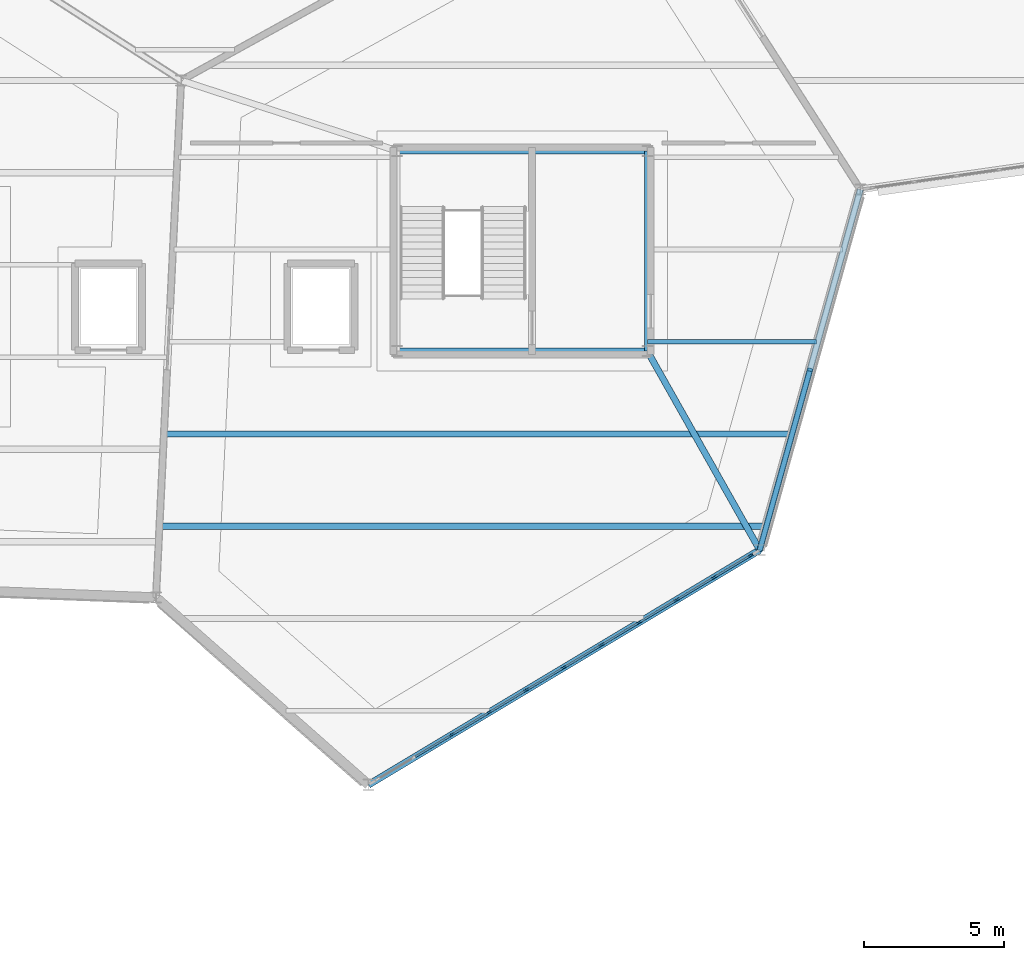
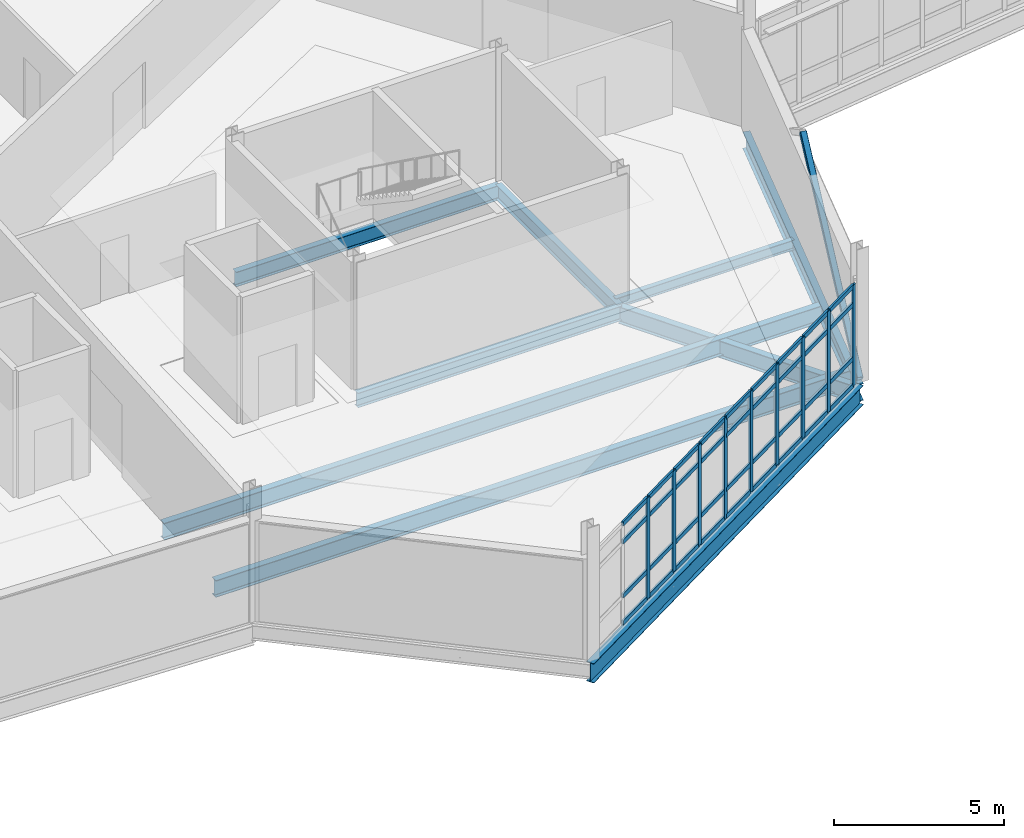
# One storey, part 75 of 134: 46 members, 9 beams, 1 element without a shape of its own.
"""IFC4 building model written with IfcOpenShell, lengths in metres."""

from ifc_helpers import new_model, si_unit, direction, frame, origin, origin_2d, place, context, subcontext, project, spatial, rectangle, hollow_rectangle, i_section, extrude, material, material_profile, profile_set, type_object, element, aggregate, save


model = new_model("IFC4")

# Units and contexts
model_context = context("Model", 3, precision=1e-05, world=origin(), true_north=direction((0.0, 1.0)))
body_context = subcontext(model_context, "Body", "Model", "MODEL_VIEW")
ifc_project = project(units=[si_unit("LENGTHUNIT", "METRE"), si_unit("AREAUNIT", "SQUARE_METRE"), si_unit("VOLUMEUNIT", "CUBIC_METRE"), si_unit("PLANEANGLEUNIT", "RADIAN"), si_unit("MASSUNIT", "GRAM", prefix="KILO")], contexts=[model_context])

# Site, building, storey
site_placement = place(None, origin())
site = spatial("IfcSite", under=ifc_project, at=site_placement, CompositionType="ELEMENT")
building_placement = place(site_placement, origin())
building = spatial("IfcBuilding", under=site, at=building_placement, Name="Tameran Prism Museum", CompositionType="ELEMENT")
storey_placement = place(building_placement, frame((0.0, 0.0, 5.39990234375)))
storey = spatial("IfcBuildingStorey", under=building, at=storey_placement, Name="L01", CompositionType="ELEMENT", Elevation=5.39990234375)

# Beams
ifc_material_1 = material(Name="Steel Grade 300PLUS (300 MPa)", Category="steel")
ifc_material_profile_1 = material_profile(ifc_material_1, i_section(OverallWidth=0.172119140625, OverallDepth=0.35888671875, WebThickness=0.008056640625, FlangeThickness=0.012939453125, FilletRadius=0.011474609375, at=origin_2d()))
ifc_profile_set_1 = profile_set([ifc_material_profile_1])
beam_type_1 = type_object("IfcBeamType", Name="BM-J360A", PredefinedType="JOIST", material=ifc_profile_set_1)
beam_1_placement = place(storey_placement, frame((135.47998046875, 79.75, -0.37939453125), z_axis=(1.0, 0.0, 0.0), x_axis=(0.0, 1.0, 0.0)))
element("IfcBeam", 1, at=beam_1_placement, inside=storey, type_object=beam_type_1, Name="Floor Beam BM-0513", PredefinedType="JOIST", context=body_context, shape_type="SweptSolid", body=[
    extrude(i_section(OverallWidth=0.172119140625, OverallDepth=0.35888671875, WebThickness=0.008056640625, FlangeThickness=0.012939453125, FilletRadius=0.011474609375, at=origin_2d()), origin(), (0.0, 0.0, 1.0), 6.05810546875),
])
ifc_material_2 = material(Name="Steel Grade 300PLUS (300 MPa)", Category="steel")
ifc_material_profile_2 = material_profile(ifc_material_2, i_section(OverallWidth=0.208984375, OverallDepth=0.528076171875, WebThickness=0.009521484375, FlangeThickness=0.01318359375, FilletRadius=0.013916015625, at=origin_2d()))
ifc_profile_set_2 = profile_set([ifc_material_profile_2])
beam_type_2 = type_object("IfcBeamType", Name="BM-SP530B", PredefinedType="SPANDREL", material=ifc_profile_set_2)
beam_2_placement = place(storey_placement, frame((126.52001953125, 79.419921875, -0.50390625), z_axis=(1.0, 0.0, 0.0), x_axis=(0.0, 1.0, 0.0)))
element("IfcBeam", 2, at=beam_2_placement, inside=storey, type_object=beam_type_2, Name="Core Ring Beam CTB-0442", PredefinedType="SPANDREL", context=body_context, shape_type="SweptSolid", body=[
    extrude(i_section(OverallWidth=0.208984375, OverallDepth=0.528076171875, WebThickness=0.009521484375, FlangeThickness=0.01318359375, FilletRadius=0.013916015625, at=origin_2d()), origin(), (0.0, 0.0, 1.0), 8.9599609375),
])
beam_3_placement = place(storey_placement, frame((135.47998046875, 79.419921875, -0.50390625), z_axis=(0.0, 1.0, 0.0), x_axis=(-1.0, 0.0, 0.0)))
element("IfcBeam", 3, at=beam_3_placement, inside=storey, type_object=beam_type_2, Name="Core Ring Beam CTB-0443", PredefinedType="SPANDREL", context=body_context, shape_type="SweptSolid", body=[
    extrude(i_section(OverallWidth=0.208984375, OverallDepth=0.528076171875, WebThickness=0.009521484375, FlangeThickness=0.01318359375, FilletRadius=0.013916015625, at=origin_2d()), origin(), (0.0, 0.0, 1.0), 7.16015625),
])
beam_4_placement = place(storey_placement, frame((135.47998046875, 86.580078125, -0.50390625), z_axis=(-1.0, 0.0, 0.0), x_axis=(0.0, -1.0, 0.0)))
element("IfcBeam", 4, at=beam_4_placement, inside=storey, type_object=beam_type_2, Name="Core Ring Beam CTB-0444", PredefinedType="SPANDREL", context=body_context, shape_type="SweptSolid", body=[
    extrude(i_section(OverallWidth=0.208984375, OverallDepth=0.528076171875, WebThickness=0.009521484375, FlangeThickness=0.01318359375, FilletRadius=0.013916015625, at=origin_2d()), origin(), (0.0, 0.0, 1.0), 8.9599609375),
])
ifc_material_3 = material(Name="Steel Grade 300PLUS (300 MPa)", Category="steel")
ifc_material_profile_3 = material_profile(ifc_material_3, i_section(OverallWidth=0.22802734375, OverallDepth=0.60205078125, WebThickness=0.010498046875, FlangeThickness=0.014892578125, FilletRadius=0.013916015625, at=origin_2d()))
ifc_profile_set_3 = profile_set([ifc_material_profile_3])
beam_type_3 = type_object("IfcBeamType", Name="BM-SP610", PredefinedType="SPANDREL", material=ifc_profile_set_3)
beam_5_placement = place(storey_placement, frame((139.5, 72.300048828125, -0.5009765625), z_axis=(0.268807620494, 0.96319388659, 0.0), x_axis=(-0.96319388659, 0.268807620494, 0.0)))
element("IfcBeam", 5, at=beam_5_placement, inside=storey, type_object=beam_type_3, Name="Perimeter Spandrel SP-0332", PredefinedType="SPANDREL", context=body_context, shape_type="SweptSolid", body=[
    extrude(i_section(OverallWidth=0.22802734375, OverallDepth=0.60205078125, WebThickness=0.010498046875, FlangeThickness=0.014892578125, FilletRadius=0.013916015625, at=origin_2d()), origin(), (0.0, 0.0, 1.0), 13.392822265625),
])
ifc_material_4 = material(Name="Steel Grade 350 (350 MPa)", Category="steel")
ifc_material_profile_4 = material_profile(ifc_material_4, i_section(OverallWidth=0.25, OverallDepth=0.699951171875, WebThickness=0.010009765625, FlangeThickness=0.02001953125, at=origin_2d()))
ifc_profile_set_4 = profile_set([ifc_material_profile_4])
beam_type_4 = type_object("IfcBeamType", Name="BM-SP700", PredefinedType="SPANDREL", material=ifc_profile_set_4)
beam_6_placement = place(storey_placement, frame((125.5, 63.89990234375, -0.5498046875), z_axis=(0.857488967429, 0.51450235251, 0.0), x_axis=(-0.51450235251, 0.857488967429, 0.0)))
element("IfcBeam", 6, at=beam_6_placement, inside=storey, type_object=beam_type_4, Name="Perimeter Spandrel SP-0331", PredefinedType="SPANDREL", context=body_context, shape_type="SweptSolid", body=[
    extrude(i_section(OverallWidth=0.25, OverallDepth=0.699951171875, WebThickness=0.010009765625, FlangeThickness=0.02001953125, at=origin_2d()), origin(), (0.0, 0.0, 1.0), 16.32666015625),
])
ifc_material_5 = material(Name="Steel Grade 300PLUS (300 MPa)", Category="steel")
ifc_material_profile_5 = material_profile(ifc_material_5, i_section(OverallWidth=0.22900390625, OverallDepth=0.612060546875, WebThickness=0.011962890625, FlangeThickness=0.01953125, FilletRadius=0.013916015625, at=origin_2d()))
ifc_profile_set_5 = profile_set([ifc_material_profile_5])
beam_type_5 = type_object("IfcBeamType", Name="BM-UB610A", PredefinedType="BEAM", material=ifc_profile_set_5)
beam_7_placement = place(storey_placement, frame((135.47998046875, 79.419921875, -0.559814453125), z_axis=(0.491662661717, -0.870785752682, 0.0), x_axis=(0.870785752682, 0.491662661717, 0.0)))
element("IfcBeam", 7, at=beam_7_placement, inside=storey, type_object=beam_type_5, Name="Frame Tie Girder FG-1388", PredefinedType="BEAM", context=body_context, shape_type="SweptSolid", body=[
    extrude(i_section(OverallWidth=0.22900390625, OverallDepth=0.612060546875, WebThickness=0.011962890625, FlangeThickness=0.01953125, FilletRadius=0.013916015625, at=origin_2d()), origin(), (0.0, 0.0, 1.0), 8.17626953125),
])
ifc_material_6 = material(Name="Steel Grade 300PLUS (300 MPa)", Category="steel")
ifc_material_profile_6 = material_profile(ifc_material_6, i_section(OverallWidth=0.22802734375, OverallDepth=0.60693359375, WebThickness=0.01123046875, FlangeThickness=0.017333984375, FilletRadius=0.013916015625, at=origin_2d()))
ifc_profile_set_6 = profile_set([ifc_material_profile_6])
beam_type_6 = type_object("IfcBeamType", Name="BM-UB610B", PredefinedType="BEAM", material=ifc_profile_set_6)
beam_8_placement = place(storey_placement, frame((118.06396484375, 73.14990234375, -0.50341796875), z_axis=(1.0, 0.0, 0.0), x_axis=(0.0, 1.0, 0.0)))
element("IfcBeam", 8, at=beam_8_placement, inside=storey, type_object=beam_type_6, Name="Floor Beam BM-0510", PredefinedType="BEAM", context=body_context, shape_type="SweptSolid", body=[
    extrude(i_section(OverallWidth=0.22802734375, OverallDepth=0.60693359375, WebThickness=0.01123046875, FlangeThickness=0.017333984375, FilletRadius=0.013916015625, at=origin_2d()), origin(), (0.0, 0.0, 1.0), 21.632080078125),
])
beam_9_placement = place(storey_placement, frame((118.22509765625, 76.449951171875, -0.50341796875), z_axis=(1.0, 0.0, 0.0), x_axis=(0.0, 1.0, 0.0)))
element("IfcBeam", 9, at=beam_9_placement, inside=storey, type_object=beam_type_6, Name="Floor Beam BM-0511", PredefinedType="BEAM", context=body_context, shape_type="SweptSolid", body=[
    extrude(i_section(OverallWidth=0.22802734375, OverallDepth=0.60693359375, WebThickness=0.01123046875, FlangeThickness=0.017333984375, FilletRadius=0.013916015625, at=origin_2d()), origin(), (0.0, 0.0, 1.0), 22.391845703125),
])

# Curtain wall, members
ifc_material_7 = material(Name="Anodised Aluminium 6063-T6 and Cyclone Solar Glass", Category="aluminium")
curtain_wall_type = type_object("IfcCurtainWallType", Name="CW-FAC-1563x362", PredefinedType="USERDEFINED", material=ifc_material_7)
curtain_wall_placement = place(storey_placement, origin())
curtain_wall = element("IfcCurtainWall", 10, at=curtain_wall_placement, inside=storey, type_object=curtain_wall_type, Name="Unitised Curtain Wall CW-056", ObjectType="UNITISED CURTAIN WALL", PredefinedType="USERDEFINED")
ifc_material_8 = material(Name="Anodised Aluminium Alloy 6063-T6", Category="aluminium")
ifc_material_profile_7 = material_profile(ifc_material_8, rectangle(XDim=0.070068359375, YDim=0.179931640625, at=origin_2d()))
ifc_profile_set_7 = profile_set([ifc_material_profile_7])
member_type_1 = type_object("IfcMemberType", Name="CW-MUL-B", PredefinedType="MULLION", material=ifc_profile_set_7)
member_1_placement = place(storey_placement, frame((139.169921875, 72.10205078125, 0.0), z_axis=(0.0, 0.0, 1.0), x_axis=(0.514495755426, -0.857492925713, 0.0)))
member_1 = element("IfcMember", 11, at=member_1_placement, type_object=member_type_1, Name="CW-056 mullion 1", PredefinedType="MULLION", context=body_context, shape_type="SweptSolid", body=[
    extrude(rectangle(XDim=0.070068359375, YDim=0.179931640625, at=origin_2d()), origin(), (0.0, 0.0, 1.0), 3.6201171875),
])
member_2_placement = place(storey_placement, frame((137.860107421875, 71.31591796875, 0.0), z_axis=(0.0, 0.0, 1.0), x_axis=(0.514495755426, -0.857492925713, 0.0)))
member_2 = element("IfcMember", 12, at=member_2_placement, type_object=member_type_1, Name="CW-056 mullion 2", PredefinedType="MULLION", context=body_context, shape_type="SweptSolid", body=[
    extrude(rectangle(XDim=0.070068359375, YDim=0.179931640625, at=origin_2d()), origin(), (0.0, 0.0, 1.0), 3.6201171875),
])
member_3_placement = place(storey_placement, frame((136.52001953125, 70.511962890625, 0.0), z_axis=(0.0, 0.0, 1.0), x_axis=(0.514495755426, -0.857492925713, 0.0)))
member_3 = element("IfcMember", 13, at=member_3_placement, type_object=member_type_1, Name="CW-056 mullion 3", PredefinedType="MULLION", context=body_context, shape_type="SweptSolid", body=[
    extrude(rectangle(XDim=0.070068359375, YDim=0.179931640625, at=origin_2d()), origin(), (0.0, 0.0, 1.0), 3.6201171875),
])
member_4_placement = place(storey_placement, frame((135.179931640625, 69.7080078125, 0.0), z_axis=(0.0, 0.0, 1.0), x_axis=(0.514495755426, -0.857492925713, 0.0)))
member_4 = element("IfcMember", 14, at=member_4_placement, type_object=member_type_1, Name="CW-056 mullion 4", PredefinedType="MULLION", context=body_context, shape_type="SweptSolid", body=[
    extrude(rectangle(XDim=0.070068359375, YDim=0.179931640625, at=origin_2d()), origin(), (0.0, 0.0, 1.0), 3.6201171875),
])
member_5_placement = place(storey_placement, frame((133.840087890625, 68.904052734375, 0.0), z_axis=(0.0, 0.0, 1.0), x_axis=(0.514495755426, -0.857492925713, 0.0)))
member_5 = element("IfcMember", 15, at=member_5_placement, type_object=member_type_1, Name="CW-056 mullion 5", PredefinedType="MULLION", context=body_context, shape_type="SweptSolid", body=[
    extrude(rectangle(XDim=0.070068359375, YDim=0.179931640625, at=origin_2d()), origin(), (0.0, 0.0, 1.0), 3.6201171875),
])
member_6_placement = place(storey_placement, frame((132.5, 68.10009765625, 0.0), z_axis=(0.0, 0.0, 1.0), x_axis=(0.514495755426, -0.857492925713, 0.0)))
member_6 = element("IfcMember", 16, at=member_6_placement, type_object=member_type_1, Name="CW-056 mullion 6", PredefinedType="MULLION", context=body_context, shape_type="SweptSolid", body=[
    extrude(rectangle(XDim=0.070068359375, YDim=0.179931640625, at=origin_2d()), origin(), (0.0, 0.0, 1.0), 3.6201171875),
])
member_7_placement = place(storey_placement, frame((131.159912109375, 67.2958984375, 0.0), z_axis=(0.0, 0.0, 1.0), x_axis=(0.514495755426, -0.857492925713, 0.0)))
member_7 = element("IfcMember", 17, at=member_7_placement, type_object=member_type_1, Name="CW-056 mullion 7", PredefinedType="MULLION", context=body_context, shape_type="SweptSolid", body=[
    extrude(rectangle(XDim=0.070068359375, YDim=0.179931640625, at=origin_2d()), origin(), (0.0, 0.0, 1.0), 3.6201171875),
])
member_8_placement = place(storey_placement, frame((129.820068359375, 66.491943359375, 0.0), z_axis=(0.0, 0.0, 1.0), x_axis=(0.514495755426, -0.857492925713, 0.0)))
member_8 = element("IfcMember", 18, at=member_8_placement, type_object=member_type_1, Name="CW-056 mullion 8", PredefinedType="MULLION", context=body_context, shape_type="SweptSolid", body=[
    extrude(rectangle(XDim=0.070068359375, YDim=0.179931640625, at=origin_2d()), origin(), (0.0, 0.0, 1.0), 3.6201171875),
])
member_9_placement = place(storey_placement, frame((128.47998046875, 65.68798828125, 0.0), z_axis=(0.0, 0.0, 1.0), x_axis=(0.514495755426, -0.857492925713, 0.0)))
member_9 = element("IfcMember", 19, at=member_9_placement, type_object=member_type_1, Name="CW-056 mullion 9", PredefinedType="MULLION", context=body_context, shape_type="SweptSolid", body=[
    extrude(rectangle(XDim=0.070068359375, YDim=0.179931640625, at=origin_2d()), origin(), (0.0, 0.0, 1.0), 3.6201171875),
])
ifc_material_9 = material(Name="Anodised Aluminium Alloy 6063-T6", Category="aluminium")
ifc_material_profile_8 = material_profile(ifc_material_9, rectangle(XDim=0.070068359375, YDim=0.155029296875, at=origin_2d()))
ifc_profile_set_8 = profile_set([ifc_material_profile_8])
member_type_2 = type_object("IfcMemberType", Name="CW-TRN-B", PredefinedType="USERDEFINED", material=ifc_profile_set_8)
member_10_placement = place(storey_placement, frame((139.139892578125, 72.083984375, 0.03515625), z_axis=(-0.857492925713, -0.514495755428, 0.0), x_axis=(0.514495755428, -0.857492925713, 0.0)))
member_10 = element("IfcMember", 20, at=member_10_placement, type_object=member_type_2, Name="CW-056 transom 1.1", ObjectType="TRANSOM", PredefinedType="USERDEFINED", context=body_context, shape_type="SweptSolid", body=[
    extrude(rectangle(XDim=0.070068359375, YDim=0.155029296875, at=origin_2d()), origin(), (0.0, 0.0, 1.0), 1.457763671875),
])
member_11_placement = place(storey_placement, frame((139.139892578125, 72.083984375, 1.0), z_axis=(-0.857492925713, -0.514495755428, 0.0), x_axis=(0.514495755428, -0.857492925713, 0.0)))
member_11 = element("IfcMember", 21, at=member_11_placement, type_object=member_type_2, Name="CW-056 transom 1.2", ObjectType="TRANSOM", PredefinedType="USERDEFINED", context=body_context, shape_type="SweptSolid", body=[
    extrude(rectangle(XDim=0.070068359375, YDim=0.155029296875, at=origin_2d()), origin(), (0.0, 0.0, 1.0), 1.457763671875),
])
member_12_placement = place(storey_placement, frame((139.139892578125, 72.083984375, 2.940185546875), z_axis=(-0.857492925713, -0.514495755428, 0.0), x_axis=(0.514495755428, -0.857492925713, 0.0)))
member_12 = element("IfcMember", 22, at=member_12_placement, type_object=member_type_2, Name="CW-056 transom 1.3", ObjectType="TRANSOM", PredefinedType="USERDEFINED", context=body_context, shape_type="SweptSolid", body=[
    extrude(rectangle(XDim=0.070068359375, YDim=0.155029296875, at=origin_2d()), origin(), (0.0, 0.0, 1.0), 1.457763671875),
])
member_13_placement = place(storey_placement, frame((139.139892578125, 72.083984375, 3.585205078125), z_axis=(-0.857492925713, -0.514495755428, 0.0), x_axis=(0.514495755428, -0.857492925713, 0.0)))
member_13 = element("IfcMember", 23, at=member_13_placement, type_object=member_type_2, Name="CW-056 transom 1.4", ObjectType="TRANSOM", PredefinedType="USERDEFINED", context=body_context, shape_type="SweptSolid", body=[
    extrude(rectangle(XDim=0.070068359375, YDim=0.155029296875, at=origin_2d()), origin(), (0.0, 0.0, 1.0), 1.457763671875),
])
member_14_placement = place(storey_placement, frame((137.830078125, 71.298095703125, 0.03515625), z_axis=(-0.857478494731, -0.514519806299, 0.0), x_axis=(0.514519806299, -0.857478494731, 0.0)))
member_14 = element("IfcMember", 24, at=member_14_placement, type_object=member_type_2, Name="CW-056 transom 2.1", ObjectType="TRANSOM", PredefinedType="USERDEFINED", context=body_context, shape_type="SweptSolid", body=[
    extrude(rectangle(XDim=0.070068359375, YDim=0.155029296875, at=origin_2d()), origin(), (0.0, 0.0, 1.0), 1.49267578125),
])
member_15_placement = place(storey_placement, frame((137.830078125, 71.298095703125, 1.0), z_axis=(-0.857478494731, -0.514519806299, 0.0), x_axis=(0.514519806299, -0.857478494731, 0.0)))
member_15 = element("IfcMember", 25, at=member_15_placement, type_object=member_type_2, Name="CW-056 transom 2.2", ObjectType="TRANSOM", PredefinedType="USERDEFINED", context=body_context, shape_type="SweptSolid", body=[
    extrude(rectangle(XDim=0.070068359375, YDim=0.155029296875, at=origin_2d()), origin(), (0.0, 0.0, 1.0), 1.49267578125),
])
member_16_placement = place(storey_placement, frame((137.830078125, 71.298095703125, 2.940185546875), z_axis=(-0.857478494731, -0.514519806299, 0.0), x_axis=(0.514519806299, -0.857478494731, 0.0)))
member_16 = element("IfcMember", 26, at=member_16_placement, type_object=member_type_2, Name="CW-056 transom 2.3", ObjectType="TRANSOM", PredefinedType="USERDEFINED", context=body_context, shape_type="SweptSolid", body=[
    extrude(rectangle(XDim=0.070068359375, YDim=0.155029296875, at=origin_2d()), origin(), (0.0, 0.0, 1.0), 1.49267578125),
])
member_17_placement = place(storey_placement, frame((137.830078125, 71.298095703125, 3.585205078125), z_axis=(-0.857478494731, -0.514519806299, 0.0), x_axis=(0.514519806299, -0.857478494731, 0.0)))
member_17 = element("IfcMember", 27, at=member_17_placement, type_object=member_type_2, Name="CW-056 transom 2.4", ObjectType="TRANSOM", PredefinedType="USERDEFINED", context=body_context, shape_type="SweptSolid", body=[
    extrude(rectangle(XDim=0.070068359375, YDim=0.155029296875, at=origin_2d()), origin(), (0.0, 0.0, 1.0), 1.49267578125),
])
member_18_placement = place(storey_placement, frame((136.489990234375, 70.493896484375, 0.03515625), z_axis=(-0.857550647749, -0.5143995398, 0.0), x_axis=(0.5143995398, -0.857550647749, 0.0)))
member_18 = element("IfcMember", 28, at=member_18_placement, type_object=member_type_2, Name="CW-056 transom 3.1", ObjectType="TRANSOM", PredefinedType="USERDEFINED", context=body_context, shape_type="SweptSolid", body=[
    extrude(rectangle(XDim=0.070068359375, YDim=0.155029296875, at=origin_2d()), origin(), (0.0, 0.0, 1.0), 1.49267578125),
])
member_19_placement = place(storey_placement, frame((136.489990234375, 70.493896484375, 1.0), z_axis=(-0.857550647749, -0.5143995398, 0.0), x_axis=(0.5143995398, -0.857550647749, 0.0)))
member_19 = element("IfcMember", 29, at=member_19_placement, type_object=member_type_2, Name="CW-056 transom 3.2", ObjectType="TRANSOM", PredefinedType="USERDEFINED", context=body_context, shape_type="SweptSolid", body=[
    extrude(rectangle(XDim=0.070068359375, YDim=0.155029296875, at=origin_2d()), origin(), (0.0, 0.0, 1.0), 1.49267578125),
])
member_20_placement = place(storey_placement, frame((136.489990234375, 70.493896484375, 2.940185546875), z_axis=(-0.857550647749, -0.5143995398, 0.0), x_axis=(0.5143995398, -0.857550647749, 0.0)))
member_20 = element("IfcMember", 30, at=member_20_placement, type_object=member_type_2, Name="CW-056 transom 3.3", ObjectType="TRANSOM", PredefinedType="USERDEFINED", context=body_context, shape_type="SweptSolid", body=[
    extrude(rectangle(XDim=0.070068359375, YDim=0.155029296875, at=origin_2d()), origin(), (0.0, 0.0, 1.0), 1.49267578125),
])
member_21_placement = place(storey_placement, frame((136.489990234375, 70.493896484375, 3.585205078125), z_axis=(-0.857550647749, -0.5143995398, 0.0), x_axis=(0.5143995398, -0.857550647749, 0.0)))
member_21 = element("IfcMember", 31, at=member_21_placement, type_object=member_type_2, Name="CW-056 transom 3.4", ObjectType="TRANSOM", PredefinedType="USERDEFINED", context=body_context, shape_type="SweptSolid", body=[
    extrude(rectangle(XDim=0.070068359375, YDim=0.155029296875, at=origin_2d()), origin(), (0.0, 0.0, 1.0), 1.49267578125),
])
member_22_placement = place(storey_placement, frame((135.14990234375, 69.68994140625, 0.03515625), z_axis=(-0.857507359258, -0.514471698754, 0.0), x_axis=(0.514471698754, -0.857507359258, 0.0)))
member_22 = element("IfcMember", 32, at=member_22_placement, type_object=member_type_2, Name="CW-056 transom 4.1", ObjectType="TRANSOM", PredefinedType="USERDEFINED", context=body_context, shape_type="SweptSolid", body=[
    extrude(rectangle(XDim=0.070068359375, YDim=0.155029296875, at=origin_2d()), origin(), (0.0, 0.0, 1.0), 1.492431640625),
])
member_23_placement = place(storey_placement, frame((135.14990234375, 69.68994140625, 1.0), z_axis=(-0.857507359258, -0.514471698754, 0.0), x_axis=(0.514471698754, -0.857507359258, 0.0)))
member_23 = element("IfcMember", 33, at=member_23_placement, type_object=member_type_2, Name="CW-056 transom 4.2", ObjectType="TRANSOM", PredefinedType="USERDEFINED", context=body_context, shape_type="SweptSolid", body=[
    extrude(rectangle(XDim=0.070068359375, YDim=0.155029296875, at=origin_2d()), origin(), (0.0, 0.0, 1.0), 1.492431640625),
])
member_24_placement = place(storey_placement, frame((135.14990234375, 69.68994140625, 2.940185546875), z_axis=(-0.857507359258, -0.514471698754, 0.0), x_axis=(0.514471698754, -0.857507359258, 0.0)))
member_24 = element("IfcMember", 34, at=member_24_placement, type_object=member_type_2, Name="CW-056 transom 4.3", ObjectType="TRANSOM", PredefinedType="USERDEFINED", context=body_context, shape_type="SweptSolid", body=[
    extrude(rectangle(XDim=0.070068359375, YDim=0.155029296875, at=origin_2d()), origin(), (0.0, 0.0, 1.0), 1.492431640625),
])
member_25_placement = place(storey_placement, frame((135.14990234375, 69.68994140625, 3.585205078125), z_axis=(-0.857507359258, -0.514471698754, 0.0), x_axis=(0.514471698754, -0.857507359258, 0.0)))
member_25 = element("IfcMember", 35, at=member_25_placement, type_object=member_type_2, Name="CW-056 transom 4.4", ObjectType="TRANSOM", PredefinedType="USERDEFINED", context=body_context, shape_type="SweptSolid", body=[
    extrude(rectangle(XDim=0.070068359375, YDim=0.155029296875, at=origin_2d()), origin(), (0.0, 0.0, 1.0), 1.492431640625),
])
member_26_placement = place(storey_placement, frame((133.81005859375, 68.885986328125, 0.03515625), z_axis=(-0.857478494731, -0.514519806299, 0.0), x_axis=(0.514519806299, -0.857478494731, 0.0)))
member_26 = element("IfcMember", 36, at=member_26_placement, type_object=member_type_2, Name="CW-056 transom 5.1", ObjectType="TRANSOM", PredefinedType="USERDEFINED", context=body_context, shape_type="SweptSolid", body=[
    extrude(rectangle(XDim=0.070068359375, YDim=0.155029296875, at=origin_2d()), origin(), (0.0, 0.0, 1.0), 1.49267578125),
])
member_27_placement = place(storey_placement, frame((133.81005859375, 68.885986328125, 1.0), z_axis=(-0.857478494731, -0.514519806299, 0.0), x_axis=(0.514519806299, -0.857478494731, 0.0)))
member_27 = element("IfcMember", 37, at=member_27_placement, type_object=member_type_2, Name="CW-056 transom 5.2", ObjectType="TRANSOM", PredefinedType="USERDEFINED", context=body_context, shape_type="SweptSolid", body=[
    extrude(rectangle(XDim=0.070068359375, YDim=0.155029296875, at=origin_2d()), origin(), (0.0, 0.0, 1.0), 1.49267578125),
])
member_28_placement = place(storey_placement, frame((133.81005859375, 68.885986328125, 2.940185546875), z_axis=(-0.857478494731, -0.514519806299, 0.0), x_axis=(0.514519806299, -0.857478494731, 0.0)))
member_28 = element("IfcMember", 38, at=member_28_placement, type_object=member_type_2, Name="CW-056 transom 5.3", ObjectType="TRANSOM", PredefinedType="USERDEFINED", context=body_context, shape_type="SweptSolid", body=[
    extrude(rectangle(XDim=0.070068359375, YDim=0.155029296875, at=origin_2d()), origin(), (0.0, 0.0, 1.0), 1.49267578125),
])
member_29_placement = place(storey_placement, frame((133.81005859375, 68.885986328125, 3.585205078125), z_axis=(-0.857478494731, -0.514519806299, 0.0), x_axis=(0.514519806299, -0.857478494731, 0.0)))
member_29 = element("IfcMember", 39, at=member_29_placement, type_object=member_type_2, Name="CW-056 transom 5.4", ObjectType="TRANSOM", PredefinedType="USERDEFINED", context=body_context, shape_type="SweptSolid", body=[
    extrude(rectangle(XDim=0.070068359375, YDim=0.155029296875, at=origin_2d()), origin(), (0.0, 0.0, 1.0), 1.49267578125),
])
member_30_placement = place(storey_placement, frame((132.469970703125, 68.08203125, 0.03515625), z_axis=(-0.857478494731, -0.514519806299, 0.0), x_axis=(0.514519806299, -0.857478494731, 0.0)))
member_30 = element("IfcMember", 40, at=member_30_placement, type_object=member_type_2, Name="CW-056 transom 6.1", ObjectType="TRANSOM", PredefinedType="USERDEFINED", context=body_context, shape_type="SweptSolid", body=[
    extrude(rectangle(XDim=0.070068359375, YDim=0.155029296875, at=origin_2d()), origin(), (0.0, 0.0, 1.0), 1.49267578125),
])
member_31_placement = place(storey_placement, frame((132.469970703125, 68.08203125, 1.0), z_axis=(-0.857478494731, -0.514519806299, 0.0), x_axis=(0.514519806299, -0.857478494731, 0.0)))
member_31 = element("IfcMember", 41, at=member_31_placement, type_object=member_type_2, Name="CW-056 transom 6.2", ObjectType="TRANSOM", PredefinedType="USERDEFINED", context=body_context, shape_type="SweptSolid", body=[
    extrude(rectangle(XDim=0.070068359375, YDim=0.155029296875, at=origin_2d()), origin(), (0.0, 0.0, 1.0), 1.49267578125),
])
member_32_placement = place(storey_placement, frame((132.469970703125, 68.08203125, 2.940185546875), z_axis=(-0.857478494731, -0.514519806299, 0.0), x_axis=(0.514519806299, -0.857478494731, 0.0)))
member_32 = element("IfcMember", 42, at=member_32_placement, type_object=member_type_2, Name="CW-056 transom 6.3", ObjectType="TRANSOM", PredefinedType="USERDEFINED", context=body_context, shape_type="SweptSolid", body=[
    extrude(rectangle(XDim=0.070068359375, YDim=0.155029296875, at=origin_2d()), origin(), (0.0, 0.0, 1.0), 1.49267578125),
])
member_33_placement = place(storey_placement, frame((132.469970703125, 68.08203125, 3.585205078125), z_axis=(-0.857478494731, -0.514519806299, 0.0), x_axis=(0.514519806299, -0.857478494731, 0.0)))
member_33 = element("IfcMember", 43, at=member_33_placement, type_object=member_type_2, Name="CW-056 transom 6.4", ObjectType="TRANSOM", PredefinedType="USERDEFINED", context=body_context, shape_type="SweptSolid", body=[
    extrude(rectangle(XDim=0.070068359375, YDim=0.155029296875, at=origin_2d()), origin(), (0.0, 0.0, 1.0), 1.49267578125),
])
member_34_placement = place(storey_placement, frame((131.1298828125, 67.278076171875, 0.03515625), z_axis=(-0.857435189642, -0.514591969976, 0.0), x_axis=(0.514591969976, -0.857435189642, 0.0)))
member_34 = element("IfcMember", 44, at=member_34_placement, type_object=member_type_2, Name="CW-056 transom 7.1", ObjectType="TRANSOM", PredefinedType="USERDEFINED", context=body_context, shape_type="SweptSolid", body=[
    extrude(rectangle(XDim=0.070068359375, YDim=0.155029296875, at=origin_2d()), origin(), (0.0, 0.0, 1.0), 1.49267578125),
])
member_35_placement = place(storey_placement, frame((131.1298828125, 67.278076171875, 1.0), z_axis=(-0.857435189642, -0.514591969976, 0.0), x_axis=(0.514591969976, -0.857435189642, 0.0)))
member_35 = element("IfcMember", 45, at=member_35_placement, type_object=member_type_2, Name="CW-056 transom 7.2", ObjectType="TRANSOM", PredefinedType="USERDEFINED", context=body_context, shape_type="SweptSolid", body=[
    extrude(rectangle(XDim=0.070068359375, YDim=0.155029296875, at=origin_2d()), origin(), (0.0, 0.0, 1.0), 1.49267578125),
])
member_36_placement = place(storey_placement, frame((131.1298828125, 67.278076171875, 2.940185546875), z_axis=(-0.857435189642, -0.514591969976, 0.0), x_axis=(0.514591969976, -0.857435189642, 0.0)))
member_36 = element("IfcMember", 46, at=member_36_placement, type_object=member_type_2, Name="CW-056 transom 7.3", ObjectType="TRANSOM", PredefinedType="USERDEFINED", context=body_context, shape_type="SweptSolid", body=[
    extrude(rectangle(XDim=0.070068359375, YDim=0.155029296875, at=origin_2d()), origin(), (0.0, 0.0, 1.0), 1.49267578125),
])
member_37_placement = place(storey_placement, frame((131.1298828125, 67.278076171875, 3.585205078125), z_axis=(-0.857435189642, -0.514591969976, 0.0), x_axis=(0.514591969976, -0.857435189642, 0.0)))
member_37 = element("IfcMember", 47, at=member_37_placement, type_object=member_type_2, Name="CW-056 transom 7.4", ObjectType="TRANSOM", PredefinedType="USERDEFINED", context=body_context, shape_type="SweptSolid", body=[
    extrude(rectangle(XDim=0.070068359375, YDim=0.155029296875, at=origin_2d()), origin(), (0.0, 0.0, 1.0), 1.49267578125),
])
member_38_placement = place(storey_placement, frame((129.7900390625, 66.473876953125, 0.03515625), z_axis=(-0.857550647749, -0.5143995398, 0.0), x_axis=(0.5143995398, -0.857550647749, 0.0)))
member_38 = element("IfcMember", 48, at=member_38_placement, type_object=member_type_2, Name="CW-056 transom 8.1", ObjectType="TRANSOM", PredefinedType="USERDEFINED", context=body_context, shape_type="SweptSolid", body=[
    extrude(rectangle(XDim=0.070068359375, YDim=0.155029296875, at=origin_2d()), origin(), (0.0, 0.0, 1.0), 1.49267578125),
])
member_39_placement = place(storey_placement, frame((129.7900390625, 66.473876953125, 1.0), z_axis=(-0.857550647749, -0.5143995398, 0.0), x_axis=(0.5143995398, -0.857550647749, 0.0)))
member_39 = element("IfcMember", 49, at=member_39_placement, type_object=member_type_2, Name="CW-056 transom 8.2", ObjectType="TRANSOM", PredefinedType="USERDEFINED", context=body_context, shape_type="SweptSolid", body=[
    extrude(rectangle(XDim=0.070068359375, YDim=0.155029296875, at=origin_2d()), origin(), (0.0, 0.0, 1.0), 1.49267578125),
])
member_40_placement = place(storey_placement, frame((129.7900390625, 66.473876953125, 2.940185546875), z_axis=(-0.857550647749, -0.5143995398, 0.0), x_axis=(0.5143995398, -0.857550647749, 0.0)))
member_40 = element("IfcMember", 50, at=member_40_placement, type_object=member_type_2, Name="CW-056 transom 8.3", ObjectType="TRANSOM", PredefinedType="USERDEFINED", context=body_context, shape_type="SweptSolid", body=[
    extrude(rectangle(XDim=0.070068359375, YDim=0.155029296875, at=origin_2d()), origin(), (0.0, 0.0, 1.0), 1.49267578125),
])
member_41_placement = place(storey_placement, frame((129.7900390625, 66.473876953125, 3.585205078125), z_axis=(-0.857550647749, -0.5143995398, 0.0), x_axis=(0.5143995398, -0.857550647749, 0.0)))
member_41 = element("IfcMember", 51, at=member_41_placement, type_object=member_type_2, Name="CW-056 transom 8.4", ObjectType="TRANSOM", PredefinedType="USERDEFINED", context=body_context, shape_type="SweptSolid", body=[
    extrude(rectangle(XDim=0.070068359375, YDim=0.155029296875, at=origin_2d()), origin(), (0.0, 0.0, 1.0), 1.49267578125),
])
member_42_placement = place(storey_placement, frame((128.449951171875, 65.669921875, 0.03515625), z_axis=(-0.857550647749, -0.5143995398, 0.0), x_axis=(0.5143995398, -0.857550647749, 0.0)))
member_42 = element("IfcMember", 52, at=member_42_placement, type_object=member_type_2, Name="CW-056 transom 9.1", ObjectType="TRANSOM", PredefinedType="USERDEFINED", context=body_context, shape_type="SweptSolid", body=[
    extrude(rectangle(XDim=0.070068359375, YDim=0.155029296875, at=origin_2d()), origin(), (0.0, 0.0, 1.0), 1.49267578125),
])
member_43_placement = place(storey_placement, frame((128.449951171875, 65.669921875, 1.0), z_axis=(-0.857550647749, -0.5143995398, 0.0), x_axis=(0.5143995398, -0.857550647749, 0.0)))
member_43 = element("IfcMember", 53, at=member_43_placement, type_object=member_type_2, Name="CW-056 transom 9.2", ObjectType="TRANSOM", PredefinedType="USERDEFINED", context=body_context, shape_type="SweptSolid", body=[
    extrude(rectangle(XDim=0.070068359375, YDim=0.155029296875, at=origin_2d()), origin(), (0.0, 0.0, 1.0), 1.49267578125),
])
member_44_placement = place(storey_placement, frame((128.449951171875, 65.669921875, 2.940185546875), z_axis=(-0.857550647749, -0.5143995398, 0.0), x_axis=(0.5143995398, -0.857550647749, 0.0)))
member_44 = element("IfcMember", 54, at=member_44_placement, type_object=member_type_2, Name="CW-056 transom 9.3", ObjectType="TRANSOM", PredefinedType="USERDEFINED", context=body_context, shape_type="SweptSolid", body=[
    extrude(rectangle(XDim=0.070068359375, YDim=0.155029296875, at=origin_2d()), origin(), (0.0, 0.0, 1.0), 1.49267578125),
])
member_45_placement = place(storey_placement, frame((128.449951171875, 65.669921875, 3.585205078125), z_axis=(-0.857550647749, -0.5143995398, 0.0), x_axis=(0.5143995398, -0.857550647749, 0.0)))
member_45 = element("IfcMember", 55, at=member_45_placement, type_object=member_type_2, Name="CW-056 transom 9.4", ObjectType="TRANSOM", PredefinedType="USERDEFINED", context=body_context, shape_type="SweptSolid", body=[
    extrude(rectangle(XDim=0.070068359375, YDim=0.155029296875, at=origin_2d()), origin(), (0.0, 0.0, 1.0), 1.49267578125),
])
aggregate(curtain_wall, [member_1, member_2, member_3, member_4, member_5, member_6, member_7, member_8, member_9, member_10, member_11, member_12, member_13, member_14, member_15, member_16, member_17, member_18, member_19, member_20, member_21, member_22, member_23, member_24, member_25, member_26, member_27, member_28, member_29, member_30, member_31, member_32, member_33, member_34, member_35, member_36, member_37, member_38, member_39, member_40, member_41, member_42, member_43, member_44, member_45])

# Member
ifc_material_10 = material(Name="Steel Grade C350L0 (350 MPa)", Category="steel")
ifc_material_profile_9 = material_profile(ifc_material_10, hollow_rectangle(XDim=0.199951171875, YDim=0.199951171875, WallThickness=0.009033203125, InnerFilletRadius=0.013427734375, OuterFilletRadius=0.0224609375, at=origin_2d()))
ifc_profile_set_9 = profile_set([ifc_material_profile_9])
member_type_3 = type_object("IfcMemberType", Name="MM-BR-SHS200", PredefinedType="BRACE", material=ifc_profile_set_9)
member_46_placement = place(storey_placement, frame((139.5, 72.300048828125, 0.0), z_axis=(0.226188795144, 0.810481727779, 0.540331377848), x_axis=(-0.96319388659, 0.268807620494, 0.0)))
element("IfcMember", 56, at=member_46_placement, inside=storey, type_object=member_type_3, Name="Lateral Chevron Brace CBF-025", PredefinedType="BRACE", context=body_context, shape_type="SweptSolid", body=[
    extrude(hollow_rectangle(XDim=0.199951171875, YDim=0.199951171875, WallThickness=0.009033203125, InnerFilletRadius=0.013427734375, OuterFilletRadius=0.0224609375, at=origin_2d()), origin(), (0.0, 0.0, 1.0), 7.958251953125),
])

save(model, "model.ifc")
